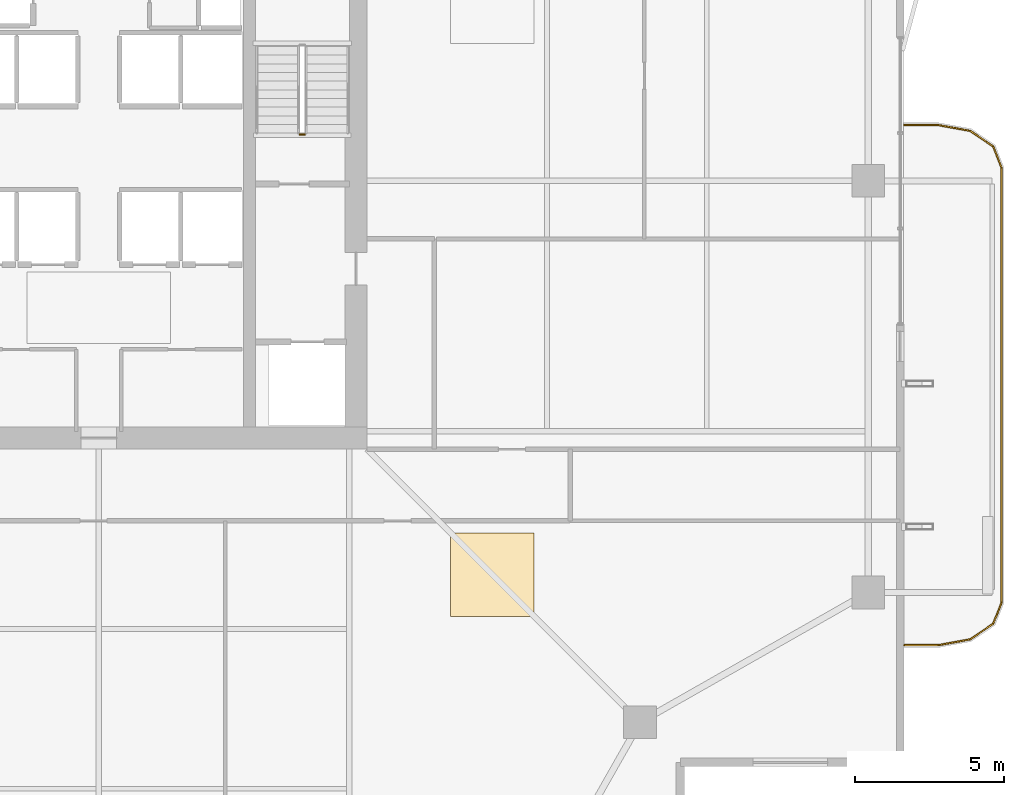
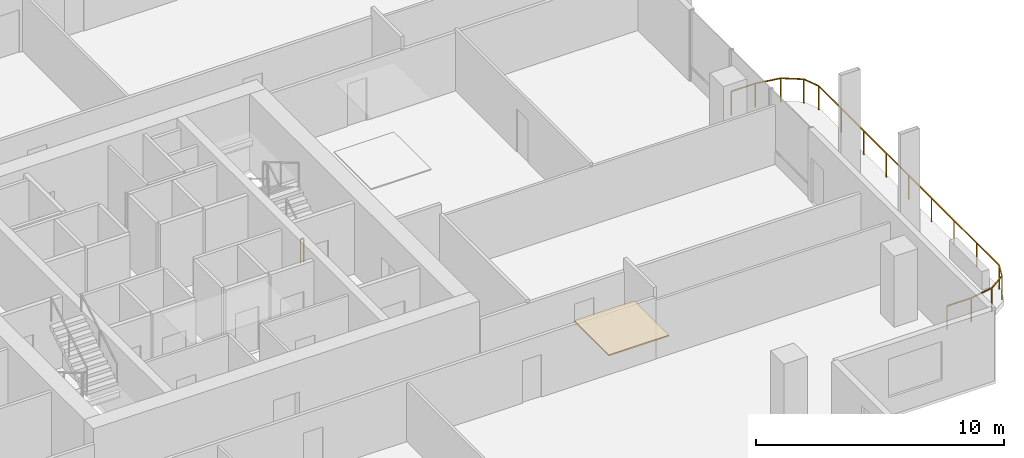
# One storey, part 22 of 24: 2 railings, 1 covering.
"""IFC4 building model written with IfcOpenShell, lengths in metres."""

import ifcopenshell
import ifcopenshell.guid

model = None  # the IFC model being written
_history = None  # IfcOwnerHistory: only IFC2X3 demands one
_inside = {}  # id of a spatial element -> (the spatial element, [elements in it])
_under = {}  # id of a project, library or spatial element -> (it, [spatial elements below it])
_declared = {}  # id of a project -> (the project, [libraries it declares])
_typed = {}  # id of a type object -> (the type object, [elements of that type])
_made_of = {}  # id of a material, layer set ... -> (it, [elements and type objects made of it])


def new_model(schema):
    """Start an empty IFC model of exactly this schema.

    Asked for "IFC4X3", IfcOpenShell would pick the latest addendum, in which some entities
    have other attributes; the version numbers below select the first issue.
    IFC2X3 requires an IfcOwnerHistory on every rooted entity: one is made here for all.
    """
    global model, _history
    if schema == "IFC4X3":
        model = ifcopenshell.file(schema_version=(4, 3, 0, 0))
    else:
        model = ifcopenshell.file(schema=schema)
    _inside.clear()
    _under.clear()
    _declared.clear()
    _typed.clear()
    _made_of.clear()
    _history = None
    if model.schema == "IFC2X3":
        org = make("IfcOrganization", Name="unknown")
        user = make(
            "IfcPersonAndOrganization",
            ThePerson=make("IfcPerson", FamilyName="unknown"),
            TheOrganization=org,
        )
        app = make(
            "IfcApplication",
            ApplicationDeveloper=org,
            Version="unknown",
            ApplicationFullName="unknown",
            ApplicationIdentifier="unknown",
        )
        _history = make(
            "IfcOwnerHistory",
            OwningUser=user,
            OwningApplication=app,
            ChangeAction="ADDED",
            CreationDate=0,
        )
    return model


def make(cls, **values):
    """One entity of the class cls with the attributes given. An attribute that is None is left unset."""
    return model.create_entity(
        cls, **{name: value for name, value in values.items() if value is not None}
    )


def rooted(cls, **values):
    """An entity with a GlobalId (a new one), such as an element, a storey or a relation."""
    return make(cls, GlobalId=ifcopenshell.guid.new(), OwnerHistory=_history, **values)


def si_unit(unit_type, name, prefix=None):
    """IfcSIUnit, for example si_unit("LENGTHUNIT", "METRE", prefix="MILLI")."""
    return make("IfcSIUnit", UnitType=unit_type, Prefix=prefix, Name=name)


def assignment(units):
    """IfcUnitAssignment: the units of a project."""
    return None if units is None else make("IfcUnitAssignment", Units=units)


def point(xyz):
    """IfcCartesianPoint."""
    return None if xyz is None else make("IfcCartesianPoint", Coordinates=xyz)


def direction(xyz):
    """IfcDirection."""
    return None if xyz is None else make("IfcDirection", DirectionRatios=xyz)


def frame(location, z_axis=None, x_axis=None):
    """IfcAxis2Placement3D, a coordinate frame: its origin and axes. An axis left out is left unset."""
    return make(
        "IfcAxis2Placement3D",
        Location=point(location),
        Axis=direction(z_axis),
        RefDirection=direction(x_axis),
    )


def frame_2d(location, x_axis=None):
    """IfcAxis2Placement2D, a coordinate frame in the plane: its origin and x axis."""
    return make(
        "IfcAxis2Placement2D", Location=point(location), RefDirection=direction(x_axis)
    )


def origin():
    """The frame at (0, 0, 0) with its axes left unset."""
    return frame((0.0, 0.0, 0.0))


def origin_2d():
    """The frame at (0, 0) in the plane with its x axis left unset."""
    return frame_2d((0.0, 0.0))


def place(relative_to, where):
    """IfcLocalPlacement: puts the frame where relative to a parent placement (None: the world)."""
    return make(
        "IfcLocalPlacement", PlacementRelTo=relative_to, RelativePlacement=where
    )


def context(
    kind, dimensions, precision=None, world=None, true_north=None, identifier=None
):
    """IfcGeometricRepresentationContext, for example the 3D "Model" context."""
    return make(
        "IfcGeometricRepresentationContext",
        ContextIdentifier=identifier,
        ContextType=kind,
        CoordinateSpaceDimension=dimensions,
        Precision=precision,
        WorldCoordinateSystem=world,
        TrueNorth=true_north,
    )


def subcontext(parent, identifier, kind, view, scale=None):
    """IfcGeometricRepresentationSubContext, for example "Body" below "Model"."""
    return make(
        "IfcGeometricRepresentationSubContext",
        ContextIdentifier=identifier,
        ContextType=kind,
        ParentContext=parent,
        TargetScale=scale,
        TargetView=view,
    )


def project(units=None, contexts=None):
    """IfcProject with its units and contexts."""
    return rooted(
        "IfcProject",
        Name="project",
        RepresentationContexts=contexts,
        UnitsInContext=assignment(units),
    )


def spatial(cls, under=None, at=None, **own):
    """A site, building, storey or space (cls), placed at a placement, below another one or the project."""
    s = rooted(cls, ObjectPlacement=at, **own)
    if under is not None:
        _under.setdefault(under.id(), (under, []))[1].append(s)
    return s


def polyline(points):
    """IfcPolyline through the points."""
    return make("IfcPolyline", Points=[point(p) for p in points])


def profile(cls, at=None, kind="AREA", **sizes):
    """A parametric profile (cls). Its sizes go by their IFC names, for example OverallWidth=200.0."""
    return make(cls, ProfileType=kind, Position=at, **sizes)


def rectangle(**sizes):
    """IfcRectangleProfileDef."""
    return profile("IfcRectangleProfileDef", **sizes)


def outline(outer, holes=None, kind="AREA"):
    """IfcArbitraryClosedProfileDef: a profile drawn as a closed curve; with holes, ...WithVoids."""
    if holes is None:
        return make("IfcArbitraryClosedProfileDef", ProfileType=kind, OuterCurve=outer)
    return make(
        "IfcArbitraryProfileDefWithVoids",
        ProfileType=kind,
        OuterCurve=outer,
        InnerCurves=holes,
    )


def extrude(swept, where, along, depth):
    """IfcExtrudedAreaSolid: the profile swept, set in the frame where, extruded along a direction by depth."""
    return make(
        "IfcExtrudedAreaSolid",
        SweptArea=swept,
        Position=where,
        ExtrudedDirection=direction(along),
        Depth=depth,
    )


def shape(context_of_items, identifier, shape_type, items):
    """IfcShapeRepresentation: the items that make up one representation, for example the "Body"."""
    return make(
        "IfcShapeRepresentation",
        ContextOfItems=context_of_items,
        RepresentationIdentifier=identifier,
        RepresentationType=shape_type,
        Items=items,
    )


def material(Name=None, Category=None):
    """IfcMaterial."""
    return make("IfcMaterial", Name=Name, Category=Category)


def layer(
    of_material, thickness, ventilated=None, Name=None, Category=None, Priority=None
):
    """IfcMaterialLayer: one layer of a wall or slab, of a material (None: an air gap)."""
    return make(
        "IfcMaterialLayer",
        Material=of_material,
        LayerThickness=thickness,
        IsVentilated=ventilated,
        Name=Name,
        Category=Category,
        Priority=Priority,
    )


def layer_set(layers, Name=None):
    """IfcMaterialLayerSet."""
    return make("IfcMaterialLayerSet", MaterialLayers=layers, LayerSetName=Name)


def made_of(thing, what):
    """Note that an element or type object is made of a material, layer set ...; save() writes the relation."""
    if what is not None:
        _made_of.setdefault(what.id(), (what, []))[1].append(thing)
    return thing


def type_object(cls, material=None, **own):
    """A type object (cls), such as IfcWallType, which elements share."""
    return made_of(rooted(cls, **own), material)


def element(
    cls,
    number,
    at=None,
    inside=None,
    cuts=None,
    type_object=None,
    material=None,
    context=None,
    identifier="Body",
    shape_type=None,
    held_by="IfcProductDefinitionShape",
    body=None,
    shapes=None,
    **own,
):
    """One element of the class cls, such as IfcWall. Its Tag is "e" and its number.

    at: its placement. inside: the storey or other place that contains it. cuts: it is an
    opening in that element (IfcRelVoidsElement). A single representation is given by context,
    identifier, shape_type and body (its items); several are given by shapes. held_by: the class
    of the entity that holds the representations. save() writes the other relations.
    """
    e = rooted(cls, Tag="e%d" % number, ObjectPlacement=at, **own)
    if body is not None:
        shapes = [shape(context, identifier, shape_type, body)]
    if shapes is not None:
        e.Representation = make(held_by, Representations=shapes)
    if inside is not None:
        _inside.setdefault(inside.id(), (inside, []))[1].append(e)
    if cuts is not None:
        rooted(
            "IfcRelVoidsElement", RelatingBuildingElement=cuts, RelatedOpeningElement=e
        )
    if type_object is not None:
        _typed.setdefault(type_object.id(), (type_object, []))[1].append(e)
    return made_of(e, material)


def aggregate(whole, parts):
    """IfcRelAggregates: a whole, such as a stair, and the parts it consists of."""
    return rooted("IfcRelAggregates", RelatingObject=whole, RelatedObjects=parts)


def save(model, path):
    """Write the relations noted so far, then the file.

    IfcRelAggregates (storeys below a building ...), IfcRelContainedInSpatialStructure (elements
    in a storey), IfcRelDefinesByType, IfcRelAssociatesMaterial and IfcRelDeclares: one each for
    every whole, place, type object, material and project.
    """
    for whole, parts in _under.values():
        aggregate(whole, parts)
    for where, things in _inside.values():
        rooted(
            "IfcRelContainedInSpatialStructure",
            RelatedElements=things,
            RelatingStructure=where,
        )
    for kind, things in _typed.values():
        rooted("IfcRelDefinesByType", RelatedObjects=things, RelatingType=kind)
    for what, things in _made_of.values():
        rooted("IfcRelAssociatesMaterial", RelatedObjects=things, RelatingMaterial=what)
    for by, libraries in _declared.values():
        rooted("IfcRelDeclares", RelatingContext=by, RelatedDefinitions=libraries)
    model.write(path)


model = new_model("IFC4")

# Units and contexts
model_context = context("Model", 3, precision=1e-05, world=origin(), true_north=direction((0.0, 1.0)))
body_context = subcontext(model_context, "Body", "Model", "MODEL_VIEW")
ifc_project = project(units=[si_unit("LENGTHUNIT", "METRE"), si_unit("AREAUNIT", "SQUARE_METRE"), si_unit("VOLUMEUNIT", "CUBIC_METRE"), si_unit("PLANEANGLEUNIT", "RADIAN"), si_unit("MASSUNIT", "GRAM", prefix="KILO")], contexts=[model_context])

# Site, building, storey
site_placement = place(None, origin())
site = spatial("IfcSite", under=ifc_project, at=site_placement, CompositionType="ELEMENT")
building_placement = place(site_placement, origin())
building = spatial("IfcBuilding", under=site, at=building_placement, Name="Belovzor Exchange Tower", CompositionType="ELEMENT")
storey_placement = place(building_placement, frame((0.0, 0.0, 218.699951171875)))
storey = spatial("IfcBuildingStorey", under=building, at=storey_placement, Name="L54", CompositionType="ELEMENT", Elevation=218.699951171875)

# Railings
ifc_material_1 = material(Name="Stainless Steel and Laminated Safety Glass", Category="steel")
railing_type_1 = type_object("IfcRailingType", Name="Laminated Glass & Stainless Steel Balcony Balustrade 1200", PredefinedType="BALUSTRADE", material=ifc_material_1)
railing_1_placement = place(storey_placement, frame((55.81005859375, 13.22998046875, 0.0)))
element("IfcRailing", 1, at=railing_1_placement, inside=storey, type_object=railing_type_1, Name="GR-1 Balcony Balustrade L54 East", PredefinedType="BALUSTRADE", context=body_context, shape_type="SweptSolid", body=[
    extrude(rectangle(XDim=0.048095703125, YDim=0.048095703125, at=origin_2d()), frame((0.0, 0.0, 1.17578125), z_axis=(1.0, 0.0, 0.0), x_axis=(0.0, 1.0, 0.0)), (0.0, 0.0, 1.0), 1.133056640625),
    extrude(rectangle(XDim=0.048095703125, YDim=0.048095703125, at=origin_2d()), frame((1.133056640625, 0.0, 1.17578125), z_axis=(0.983644145941, 0.180122719713, 0.0), x_axis=(-0.180122719713, 0.983644145941, 0.0)), (0.0, 0.0, 1.0), 1.09375),
    extrude(rectangle(XDim=0.048095703125, YDim=0.048095703125, at=origin_2d()), frame((2.208984375, 0.197021484375, 1.17578125), z_axis=(0.826614792125, 0.562768145367, 0.0), x_axis=(-0.562768145367, 0.826614792125, 0.0)), (0.0, 0.0, 1.0), 0.9326171875),
    extrude(rectangle(XDim=0.048095703125, YDim=0.048095703125, at=origin_2d()), frame((2.97998046875, 0.721923828125, 1.17578125), z_axis=(0.365504480807, 0.930809580156, 0.0), x_axis=(-0.930809580156, 0.365504480807, 0.0)), (0.0, 0.0, 1.0), 0.76611328125),
    extrude(rectangle(XDim=0.048095703125, YDim=0.048095703125, at=origin_2d()), frame((3.260009765625, 1.43505859375, 1.17578125), z_axis=(0.0, 1.0, 0.0), x_axis=(-1.0, 0.0, 0.0)), (0.0, 0.0, 1.0), 14.570068359375),
    extrude(rectangle(XDim=0.048095703125, YDim=0.048095703125, at=origin_2d()), frame((3.260009765625, 16.005126953125, 1.17578125), z_axis=(-0.365612923861, 0.930766990125, 0.0), x_axis=(-0.930766990125, -0.365612923861, 0.0)), (0.0, 0.0, 1.0), 0.765869140625),
    extrude(rectangle(XDim=0.048095703125, YDim=0.048095703125, at=origin_2d()), frame((2.97998046875, 16.718017578125, 1.17578125), z_axis=(-0.826614792125, 0.562768145367, 0.0), x_axis=(-0.562768145367, -0.826614792125, 0.0)), (0.0, 0.0, 1.0), 0.9326171875),
    extrude(rectangle(XDim=0.048095703125, YDim=0.048095703125, at=origin_2d()), frame((2.208984375, 17.242919921875, 1.17578125), z_axis=(-0.983644145941, 0.180122719713, 0.0), x_axis=(-0.180122719713, -0.983644145941, 0.0)), (0.0, 0.0, 1.0), 1.09375),
    extrude(rectangle(XDim=0.048095703125, YDim=0.048095703125, at=origin_2d()), frame((1.133056640625, 17.43994140625, 1.17578125), z_axis=(-1.0, 0.0, 0.0), x_axis=(0.0, -1.0, 0.0)), (0.0, 0.0, 1.0), 1.133056640625),
    extrude(rectangle(XDim=0.0419921875, YDim=0.0419921875, at=origin_2d()), origin(), (0.0, 0.0, 1.0), 1.15185546875),
    extrude(rectangle(XDim=0.0419921875, YDim=0.0419921875, at=origin_2d()), frame((1.133056640625, 0.0, 0.0)), (0.0, 0.0, 1.0), 1.15185546875),
    extrude(rectangle(XDim=0.0419921875, YDim=0.0419921875, at=origin_2d()), frame((2.208984375, 0.197021484375, 0.0)), (0.0, 0.0, 1.0), 1.15185546875),
    extrude(rectangle(XDim=0.0419921875, YDim=0.0419921875, at=origin_2d()), frame((2.97998046875, 0.721923828125, 0.0)), (0.0, 0.0, 1.0), 1.15185546875),
    extrude(rectangle(XDim=0.0419921875, YDim=0.0419921875, at=origin_2d()), frame((3.260009765625, 1.43505859375, 0.0)), (0.0, 0.0, 1.0), 1.15185546875),
    extrude(rectangle(XDim=0.0419921875, YDim=0.0419921875, at=origin_2d()), frame((3.260009765625, 3.25634765625, 0.0)), (0.0, 0.0, 1.0), 1.15185546875),
    extrude(rectangle(XDim=0.0419921875, YDim=0.0419921875, at=origin_2d()), frame((3.260009765625, 5.07763671875, 0.0)), (0.0, 0.0, 1.0), 1.15185546875),
    extrude(rectangle(XDim=0.0419921875, YDim=0.0419921875, at=origin_2d()), frame((3.260009765625, 6.89892578125, 0.0)), (0.0, 0.0, 1.0), 1.15185546875),
    extrude(rectangle(XDim=0.0419921875, YDim=0.0419921875, at=origin_2d()), frame((3.260009765625, 8.72021484375, 0.0)), (0.0, 0.0, 1.0), 1.15185546875),
    extrude(rectangle(XDim=0.0419921875, YDim=0.0419921875, at=origin_2d()), frame((3.260009765625, 10.541259765625, 0.0)), (0.0, 0.0, 1.0), 1.15185546875),
    extrude(rectangle(XDim=0.0419921875, YDim=0.0419921875, at=origin_2d()), frame((3.260009765625, 12.362548828125, 0.0)), (0.0, 0.0, 1.0), 1.15185546875),
    extrude(rectangle(XDim=0.0419921875, YDim=0.0419921875, at=origin_2d()), frame((3.260009765625, 14.183837890625, 0.0)), (0.0, 0.0, 1.0), 1.15185546875),
    extrude(rectangle(XDim=0.0419921875, YDim=0.0419921875, at=origin_2d()), frame((3.260009765625, 16.005126953125, 0.0)), (0.0, 0.0, 1.0), 1.15185546875),
    extrude(rectangle(XDim=0.0419921875, YDim=0.0419921875, at=origin_2d()), frame((2.97998046875, 16.718017578125, 0.0)), (0.0, 0.0, 1.0), 1.15185546875),
    extrude(rectangle(XDim=0.0419921875, YDim=0.0419921875, at=origin_2d()), frame((2.208984375, 17.242919921875, 0.0)), (0.0, 0.0, 1.0), 1.15185546875),
    extrude(rectangle(XDim=0.0419921875, YDim=0.0419921875, at=origin_2d()), frame((1.133056640625, 17.43994140625, 0.0)), (0.0, 0.0, 1.0), 1.15185546875),
    extrude(rectangle(XDim=0.0419921875, YDim=0.0419921875, at=origin_2d()), frame((0.0, 17.43994140625, 0.0)), (0.0, 0.0, 1.0), 1.15185546875),
])
ifc_material_2 = material(Name="Steel S355", Category="steel")
railing_type_2 = type_object("IfcRailingType", Name="Painted Steel Stairwell Guardrail 1200", PredefinedType="GUARDRAIL", material=ifc_material_2)
railing_2_placement = place(storey_placement, frame((35.699951171875, 30.35009765625, 0.0)))
element("IfcRailing", 2, at=railing_2_placement, inside=storey, type_object=railing_type_2, Name="L54 ST-2 stair guard 4", PredefinedType="GUARDRAIL", context=body_context, shape_type="SweptSolid", body=[
    extrude(rectangle(XDim=0.048095703125, YDim=0.048095703125, at=origin_2d()), frame((0.0, 0.0, 1.17578125), z_axis=(-1.0, 0.0, 0.0), x_axis=(0.0, -1.0, 0.0)), (0.0, 0.0, 1.0), 0.14990234375),
    extrude(rectangle(XDim=0.0419921875, YDim=0.0419921875, at=origin_2d()), origin(), (0.0, 0.0, 1.0), 1.15185546875),
    extrude(rectangle(XDim=0.0419921875, YDim=0.0419921875, at=origin_2d()), frame((-0.14990234375, 0.0, 0.0)), (0.0, 0.0, 1.0), 1.15185546875),
])

# Covering
ifc_material_3 = material(Name="Perforated Powder-Coated Aluminium", Category="aluminium")
ifc_layer = layer(ifc_material_3, 0.06005859375)
ifc_layer_set = layer_set([ifc_layer], Name="Perforated Powder-Coated Aluminium")
covering_type = type_object("IfcCoveringType", Name="Perforated Acoustic Metal Tile Suspended Ceiling 60", PredefinedType="CEILING", material=ifc_layer_set)
covering_placement = place(storey_placement, frame((0.0, 0.0, 3.43994140625)))
element("IfcCovering", 3, at=covering_placement, inside=storey, type_object=covering_type, Name="CLG-AC60 Suspended Ceiling CLG-L54-Z1", PredefinedType="CEILING", context=body_context, shape_type="SweptSolid", body=[
    extrude(outline(polyline([(40.60009765625, 14.199951171875), (43.39990234375, 14.199951171875), (43.39990234375, 17.0), (40.60009765625, 17.0), (40.60009765625, 14.199951171875)])), origin(), (0.0, 0.0, 1.0), 0.06005859375),
])

save(model, "model.ifc")
